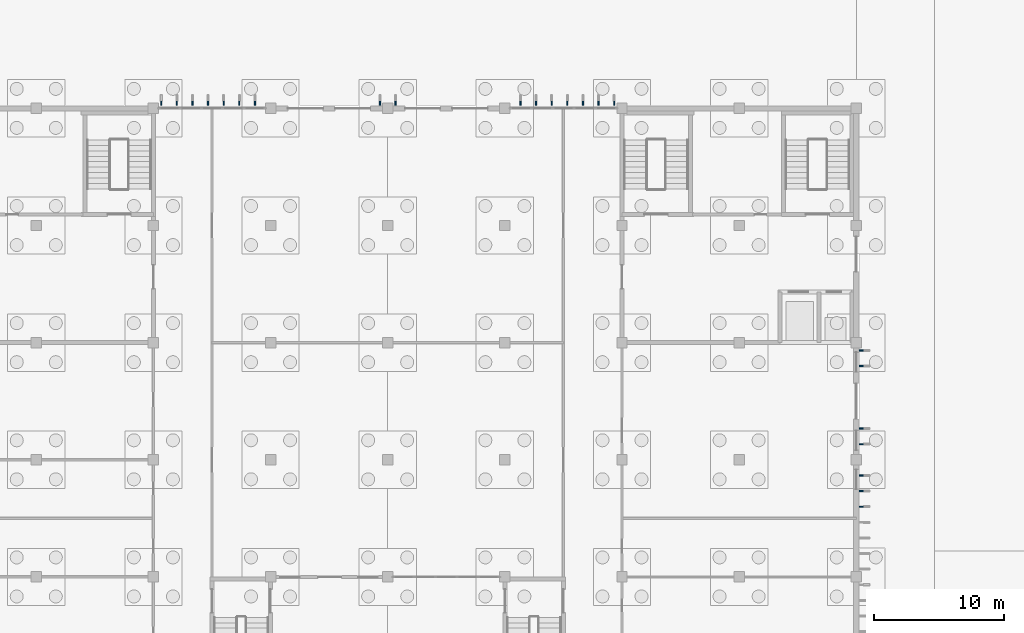
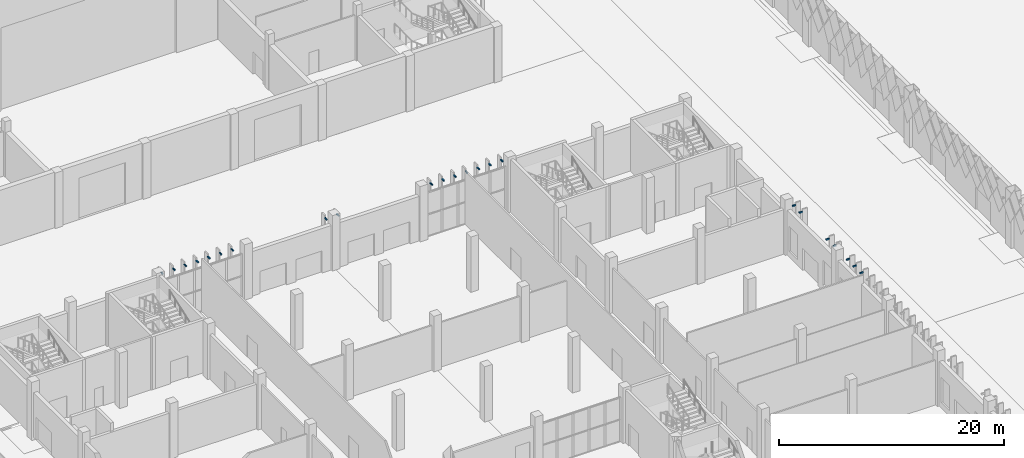
# One storey, part 117 of 198: 23 discrete accessories.
"""IFC4 building model written with IfcOpenShell, lengths in metres."""

from ifc_helpers import new_model, si_unit, direction, frame, origin, origin_2d, place, context, subcontext, project, spatial, rectangle, extrude, material, type_object, element, save


model = new_model("IFC4")

# Units and contexts
model_context = context("Model", 3, precision=1e-05, world=origin(), true_north=direction((0.0, 1.0)))
body_context = subcontext(model_context, "Body", "Model", "MODEL_VIEW")
ifc_project = project(units=[si_unit("LENGTHUNIT", "METRE"), si_unit("AREAUNIT", "SQUARE_METRE"), si_unit("VOLUMEUNIT", "CUBIC_METRE"), si_unit("PLANEANGLEUNIT", "RADIAN"), si_unit("MASSUNIT", "GRAM", prefix="KILO")], contexts=[model_context])

# Site, building, storey
site_placement = place(None, origin())
site = spatial("IfcSite", under=ifc_project, at=site_placement, CompositionType="ELEMENT")
building_placement = place(site_placement, origin())
building = spatial("IfcBuilding", under=site, at=building_placement, Name="Opaline Strait Convention Centre", CompositionType="ELEMENT")
storey_placement = place(building_placement, origin())
storey = spatial("IfcBuildingStorey", under=building, at=storey_placement, Name="L00", CompositionType="ELEMENT", Elevation=0.0)

# Discrete accessories
ifc_material = material(Name="Stainless steel 316", Category="steel")
discrete_accessory_type = type_object("IfcDiscreteAccessoryType", Name="Fin bracket stainless steel 316", PredefinedType="BRACKET", material=ifc_material)
for number, where, z_axis, x_axis, name in (
    (1, (27.60009765625, 99.387451171875, 5.219970703125), (0.0, 0.0, 1.0), (1.0, 0.0, 0.0), "Fin bracket N L00"),
    (2, (28.800048828125, 99.387451171875, 5.219970703125), (0.0, 0.0, 1.0), (1.0, 0.0, 0.0), "Fin bracket N L00"),
    (3, (30.0, 99.387451171875, 5.219970703125), (0.0, 0.0, 1.0), (1.0, 0.0, 0.0), "Fin bracket N L00"),
    (4, (31.199951171875, 99.387451171875, 5.219970703125), (0.0, 0.0, 1.0), (1.0, 0.0, 0.0), "Fin bracket N L00"),
    (5, (32.39990234375, 99.387451171875, 5.219970703125), (0.0, 0.0, 1.0), (1.0, 0.0, 0.0), "Fin bracket N L00"),
    (6, (33.60009765625, 99.387451171875, 5.219970703125), (0.0, 0.0, 1.0), (1.0, 0.0, 0.0), "Fin bracket N L00"),
    (7, (34.800048828125, 99.387451171875, 5.219970703125), (0.0, 0.0, 1.0), (1.0, 0.0, 0.0), "Fin bracket N L00"),
    (8, (44.39990234375, 99.387451171875, 5.219970703125), (0.0, 0.0, 1.0), (1.0, 0.0, 0.0), "Fin bracket N L00"),
    (9, (45.60009765625, 99.387451171875, 5.219970703125), (0.0, 0.0, 1.0), (1.0, 0.0, 0.0), "Fin bracket N L00"),
    (10, (55.199951171875, 99.387451171875, 5.219970703125), (0.0, 0.0, 1.0), (1.0, 0.0, 0.0), "Fin bracket N L00"),
    (11, (56.39990234375, 99.387451171875, 5.219970703125), (0.0, 0.0, 1.0), (1.0, 0.0, 0.0), "Fin bracket N L00"),
    (12, (57.60009765625, 99.387451171875, 5.219970703125), (0.0, 0.0, 1.0), (1.0, 0.0, 0.0), "Fin bracket N L00"),
    (13, (58.800048828125, 99.387451171875, 5.219970703125), (0.0, 0.0, 1.0), (1.0, 0.0, 0.0), "Fin bracket N L00"),
    (14, (60.0, 99.387451171875, 5.219970703125), (0.0, 0.0, 1.0), (1.0, 0.0, 0.0), "Fin bracket N L00"),
    (15, (61.199951171875, 99.387451171875, 5.219970703125), (0.0, 0.0, 1.0), (1.0, 0.0, 0.0), "Fin bracket N L00"),
    (16, (62.39990234375, 99.387451171875, 5.219970703125), (0.0, 0.0, 1.0), (1.0, 0.0, 0.0), "Fin bracket N L00"),
):
    element("IfcDiscreteAccessory", number, at=place(storey_placement, frame(where, z_axis=z_axis, x_axis=x_axis)), inside=storey, type_object=discrete_accessory_type, Name=name, PredefinedType="BRACKET", context=body_context, shape_type="SweptSolid", body=[
        extrude(rectangle(XDim=0.10009765625, YDim=0.324951171875, at=origin_2d()), origin(), (0.0, 0.0, 1.0), 0.10009765625),
    ])
for number, where, z_axis, x_axis, name in (
    (17, (81.387451171875, 68.39990234375, 5.219970703125), (0.0, 0.0, 1.0), (1.0, 0.0, 0.0), "Fin bracket E L00"),
    (18, (81.387451171875, 69.60009765625, 5.219970703125), (0.0, 0.0, 1.0), (1.0, 0.0, 0.0), "Fin bracket E L00"),
    (19, (81.387451171875, 70.800048828125, 5.219970703125), (0.0, 0.0, 1.0), (1.0, 0.0, 0.0), "Fin bracket E L00"),
    (20, (81.387451171875, 73.199951171875, 5.219970703125), (0.0, 0.0, 1.0), (1.0, 0.0, 0.0), "Fin bracket E L00"),
    (21, (81.387451171875, 74.39990234375, 5.219970703125), (0.0, 0.0, 1.0), (1.0, 0.0, 0.0), "Fin bracket E L00"),
    (22, (81.387451171875, 79.199951171875, 5.219970703125), (0.0, 0.0, 1.0), (1.0, 0.0, 0.0), "Fin bracket E L00"),
    (23, (81.387451171875, 80.39990234375, 5.219970703125), (0.0, 0.0, 1.0), (1.0, 0.0, 0.0), "Fin bracket E L00"),
):
    element("IfcDiscreteAccessory", number, at=place(storey_placement, frame(where, z_axis=z_axis, x_axis=x_axis)), inside=storey, type_object=discrete_accessory_type, Name=name, PredefinedType="BRACKET", context=body_context, shape_type="SweptSolid", body=[
        extrude(rectangle(XDim=0.324951171875, YDim=0.10009765625, at=origin_2d()), origin(), (0.0, 0.0, 1.0), 0.10009765625),
    ])

save(model, "model.ifc")
